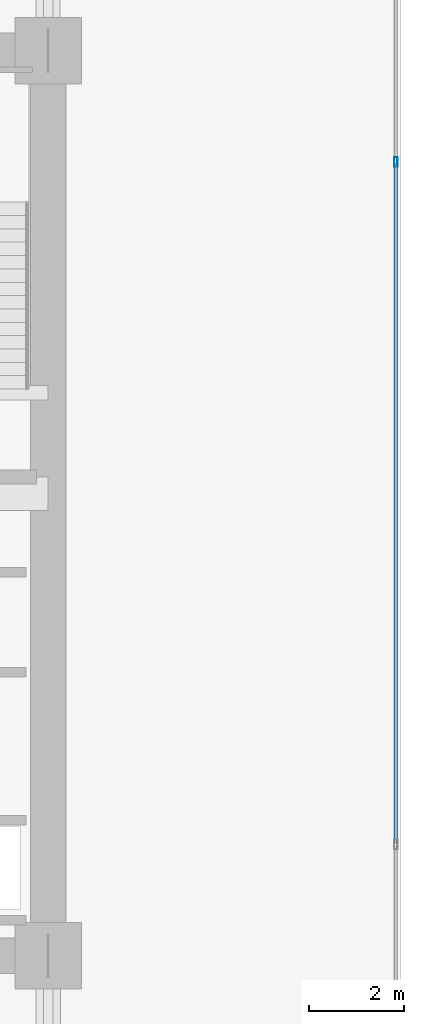
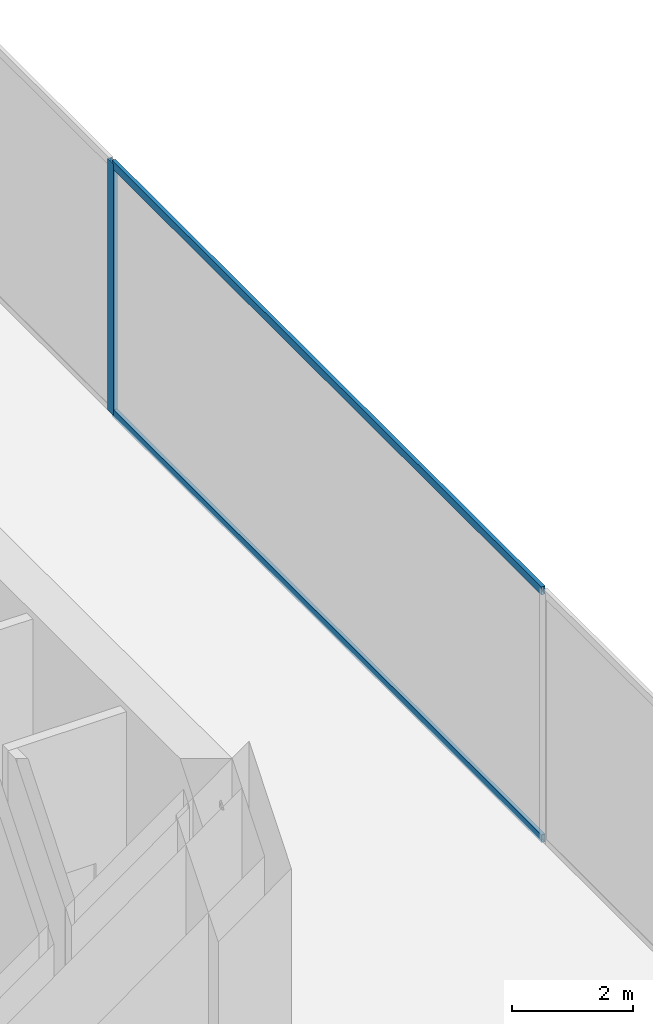
# One storey, part 25 of 38: 3 members, 1 element without a shape of its own.
"""IFC4 building model written with IfcOpenShell, lengths in metres."""

from ifc_helpers import new_model, si_unit, direction, frame, origin, origin_2d, place, context, subcontext, project, spatial, hollow_rectangle, extrude, source, transform, mapped, material, layer, layer_set, material_profile, profile_set, type_object, type_shapes, element, aggregate, save


model = new_model("IFC4")

# Units and contexts
model_context = context("Model", 3, precision=1e-05, world=origin(), true_north=direction((0.0, 1.0)))
body_context = subcontext(model_context, "Body", "Model", "MODEL_VIEW")
ifc_project = project(units=[si_unit("LENGTHUNIT", "METRE"), si_unit("AREAUNIT", "SQUARE_METRE"), si_unit("VOLUMEUNIT", "CUBIC_METRE"), si_unit("PLANEANGLEUNIT", "RADIAN"), si_unit("MASSUNIT", "GRAM", prefix="KILO")], contexts=[model_context])

# Site, building, storey
site_placement = place(None, origin())
site = spatial("IfcSite", under=ifc_project, at=site_placement, CompositionType="ELEMENT")
building_placement = place(site_placement, origin())
building = spatial("IfcBuilding", under=site, at=building_placement, Name="Haelvirn Gate Laboratories", CompositionType="ELEMENT")
storey_placement = place(building_placement, frame((0.0, 0.0, 94.89990234375)))
storey = spatial("IfcBuildingStorey", under=building, at=storey_placement, Name="L23", CompositionType="ELEMENT", Elevation=94.89990234375)

# Curtain wall, members
ifc_material_1 = material(Name="Anodised bronze unitised aluminium & triple low-E glass", Category="aluminium")
ifc_layer = layer(ifc_material_1, 0.18408203125, Name="CW-SYS-2")
ifc_layer_set = layer_set([ifc_layer], Name="Anodised bronze unitised aluminium & triple low-E glass")
curtain_wall_type = type_object("IfcCurtainWallType", Name="CW-SYS-2", PredefinedType="NOTDEFINED", material=ifc_layer_set)
curtain_wall_placement = place(storey_placement, origin())
curtain_wall = element("IfcCurtainWall", 1, at=curtain_wall_placement, inside=storey, type_object=curtain_wall_type, Name="L23 Unitised Curtain Wall CW-L23-P0-E07", PredefinedType="NOTDEFINED")
ifc_material_2 = material(Name="Extruded aluminium 6063-T6 (anodised bronze)", Category="aluminium")
ifc_material_profile_1 = material_profile(ifc_material_2, hollow_rectangle(XDim=0.070068359375, YDim=0.159912109375, WallThickness=0.0048828125, at=origin_2d()), Name="CWT-160x70x5")
ifc_profile_set_1 = profile_set([ifc_material_profile_1], Name="Extruded aluminium 6063-T6 (anodised bronze)")
member_type_1 = type_object("IfcMemberType", Name="CWT-T160", PredefinedType="USERDEFINED", material=ifc_profile_set_1)
shared_shape_1 = source(origin(), body_context, "Body", "SweptSolid", [
    extrude(hollow_rectangle(XDim=0.070068359375, YDim=0.159912109375, WallThickness=0.0048828125, at=origin_2d()), origin(), (0.0, 0.0, 1.0), 14.25830078125),
])
type_shapes(member_type_1, [shared_shape_1])
member_1_placement = place(storey_placement, frame((74.699951171875, 17.1708984375, 0.03515625), z_axis=(0.0, 1.0, 0.0), x_axis=(-1.0, 0.0, 0.0)))
member_1 = element("IfcMember", 2, at=member_1_placement, type_object=member_type_1, Name="CW2 transom 2.1", ObjectType="TRANSOM", PredefinedType="USERDEFINED", context=body_context, shape_type="MappedRepresentation", body=[
    mapped(shared_shape_1, transform((0.0, 0.0, 0.0), scale=1.0)),
])
member_2_placement = place(storey_placement, frame((74.699951171875, 17.1708984375, 5.05517578125), z_axis=(0.0, 1.0, 0.0), x_axis=(-1.0, 0.0, 0.0)))
member_2 = element("IfcMember", 3, at=member_2_placement, type_object=member_type_1, Name="CW2 transom 2.2", ObjectType="TRANSOM", PredefinedType="USERDEFINED", context=body_context, shape_type="MappedRepresentation", body=[
    mapped(shared_shape_1, transform((0.0, 0.0, 0.0), scale=1.0)),
])
ifc_material_profile_2 = material_profile(ifc_material_2, hollow_rectangle(XDim=0.074951171875, YDim=0.199951171875, WallThickness=0.0048828125, at=origin_2d()), Name="CWM-200x75x5")
ifc_profile_set_2 = profile_set([ifc_material_profile_2], Name="Extruded aluminium 6063-T6 (anodised bronze)")
member_type_2 = type_object("IfcMemberType", Name="CWM-T200", PredefinedType="MULLION", material=ifc_profile_set_2)
shared_shape_2 = source(origin(), body_context, "Body", "SweptSolid", [
    extrude(hollow_rectangle(XDim=0.074951171875, YDim=0.199951171875, WallThickness=0.0048828125, at=origin_2d()), origin(), (0.0, 0.0, 1.0), 5.090087890625),
])
type_shapes(member_type_2, [shared_shape_2])
member_3_placement = place(storey_placement, frame((74.699951171875, 31.466552734375, 0.0), z_axis=(0.0, 0.0, 1.0), x_axis=(-1.0, 0.0, 0.0)))
member_3 = element("IfcMember", 4, at=member_3_placement, type_object=member_type_2, Name="CW2 mullion 3", PredefinedType="MULLION", context=body_context, shape_type="MappedRepresentation", body=[
    mapped(shared_shape_2, transform((0.0, 0.0, 0.0), scale=1.0)),
])
aggregate(curtain_wall, [member_3, member_1, member_2])

save(model, "model.ifc")
